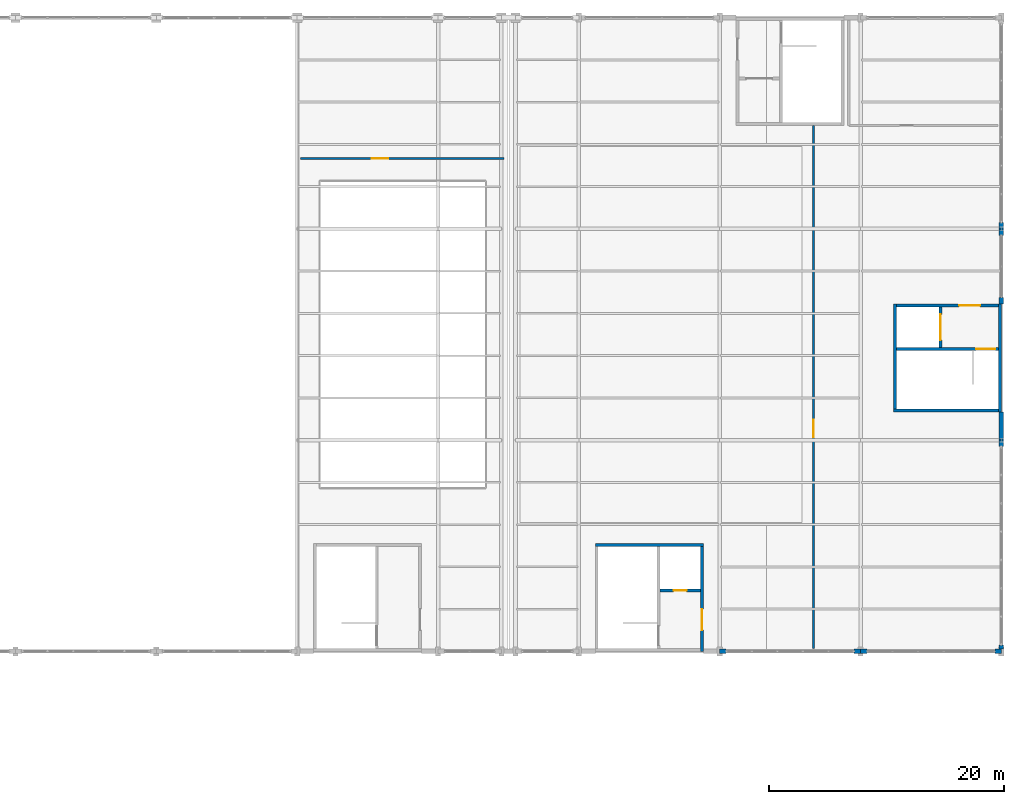
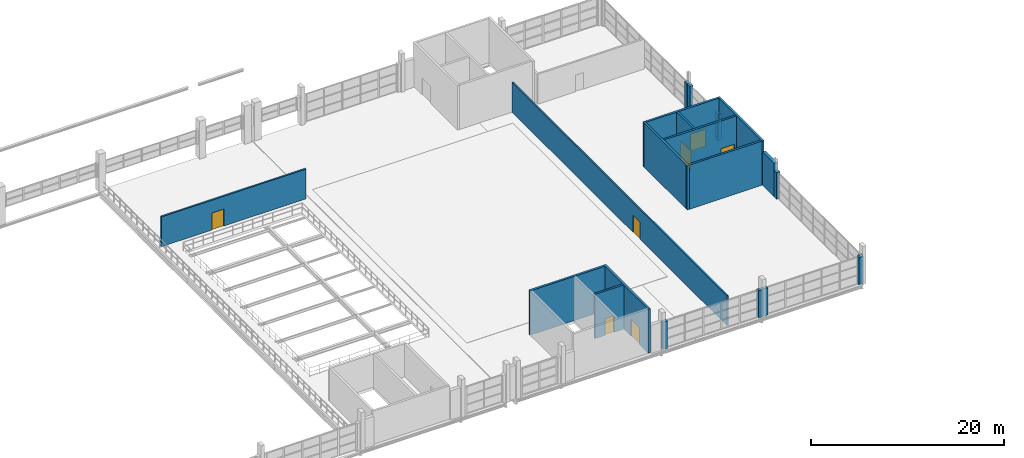
# One storey, part 80 of 86: 21 walls, 7 doors, 7 openings.
"""IFC4 building model written with IfcOpenShell, lengths in metres."""

from ifc_helpers import new_model, si_unit, direction, frame, frame_2d, origin, place, context, subcontext, project, spatial, rectangle, extrude, material, layer, layer_set, type_object, element, fill, save


model = new_model("IFC4")

# Units and contexts
model_context = context("Model", 3, precision=1e-05, world=origin(), true_north=direction((0.0, 1.0)))
body_context = subcontext(model_context, "Body", "Model", "MODEL_VIEW")
ifc_project = project(units=[si_unit("LENGTHUNIT", "METRE"), si_unit("AREAUNIT", "SQUARE_METRE"), si_unit("VOLUMEUNIT", "CUBIC_METRE"), si_unit("PLANEANGLEUNIT", "RADIAN"), si_unit("MASSUNIT", "GRAM", prefix="KILO")], contexts=[model_context])

# Site, building, storey
site_placement = place(None, origin())
site = spatial("IfcSite", under=ifc_project, at=site_placement, CompositionType="ELEMENT")
building_placement = place(site_placement, origin())
building = spatial("IfcBuilding", under=site, at=building_placement, Name="Zilviju Railside Exhibition Hall", CompositionType="ELEMENT")
storey_placement = place(building_placement, frame((0.0, 0.0, 12.60009765625)))
storey = spatial("IfcBuildingStorey", under=building, at=storey_placement, Name="L04", CompositionType="ELEMENT", Elevation=12.60009765625)

# Wall
ifc_material_1 = material(Name="Concrete C35/45", Category="concrete")
ifc_layer_1 = layer(ifc_material_1, 0.25)
ifc_layer_set_1 = layer_set([ifc_layer_1], Name="Concrete C35/45")
wall_type_1 = type_object("IfcWallType", Name="WL-CORE-250", PredefinedType="SHEAR", material=ifc_layer_set_1)
wall_1_placement = place(storey_placement, frame((181.39990234375, 93.074951171875, 0.0), z_axis=(0.0, 0.0, 1.0), x_axis=(1.0, 0.0, 0.0)))
element("IfcWall", 1, at=wall_1_placement, inside=storey, type_object=wall_type_1, Name="Core C07 North Hall Court East Core Rear Wall L04", PredefinedType="SHEAR", context=body_context, shape_type="SweptSolid", body=[
    extrude(rectangle(XDim=9.2001953125, YDim=0.25, at=frame_2d((4.60009765625, 0.0))), origin(), (0.0, 0.0, 1.0), 5.599853515625),
])

# Wall, opening, door
wall_2_placement = place(storey_placement, frame((190.47509765625, 84.0, 0.0), z_axis=(0.0, 0.0, 1.0), x_axis=(0.0, 1.0, 0.0)))
wall_2 = element("IfcWall", 2, at=wall_2_placement, inside=storey, type_object=wall_type_1, Name="Core C07 North Hall Court East Lobby Side Wall L04", PredefinedType="SHEAR", context=body_context, shape_type="SweptSolid", body=[
    extrude(rectangle(XDim=9.199951171875, YDim=0.25, at=frame_2d((4.60009765625, 0.0))), origin(), (0.0, 0.0, 1.0), 5.599853515625),
])
opening_1_placement = place(wall_2_placement, frame((1.800048828125, 0.0, 0.0)))
opening_1 = element("IfcOpeningElement", 3, at=opening_1_placement, cuts=wall_2, Name="Opening FD-02", PredefinedType="OPENING", context=body_context, shape_type="SweptSolid", body=[
    extrude(rectangle(XDim=1.800048828125, YDim=2.14990234375, at=frame_2d((0.89990234375, 1.074951171875))), frame((0.0, 0.135009765625, 0.0), z_axis=(0.0, -1.0, 0.0), x_axis=(1.0, 0.0, 0.0)), (0.0, 0.0, 1.0), 0.27001953125),
])
ifc_material_2 = material(Name="Self-closing glazed steel core lobby fire door EI 60", Category="steel")
door_type_1 = type_object("IfcDoorType", Name="DR-LOBBY-180x215", OperationType="NOTDEFINED", PredefinedType="DOOR", material=ifc_material_2)
door_1_placement = place(opening_1_placement, origin())
door_1 = element("IfcDoor", 4, at=door_1_placement, inside=storey, type_object=door_type_1, Name="Core C07 North Hall Court East Lobby Fire Door L04", OperationType="DOUBLE_DOOR_SINGLE_SWING", OverallHeight=2.14990234375, OverallWidth=1.800048828125, PredefinedType="DOOR", context=body_context, shape_type="SweptSolid", body=[
    extrude(rectangle(XDim=1.800048828125, YDim=2.14990234375, at=frame_2d((0.89990234375, 1.074951171875))), frame((0.0, 0.02490234375, 0.0), z_axis=(0.0, -1.0, 0.0), x_axis=(1.0, 0.0, 0.0)), (0.0, 0.0, 1.0), 0.050048828125),
])
fill(opening_1, door_1)

wall_3_placement = place(storey_placement, frame((186.89990234375, 89.175048828125, 0.0), z_axis=(0.0, 0.0, 1.0), x_axis=(1.0, 0.0, 0.0)))
wall_3 = element("IfcWall", 5, at=wall_3_placement, inside=storey, type_object=wall_type_1, Name="Core C07 North Hall Court East Lift Shaft Front Wall L04", PredefinedType="SHEAR", context=body_context, shape_type="SweptSolid", body=[
    extrude(rectangle(XDim=3.4501953125, YDim=0.25, at=frame_2d((1.72509765625, 0.0))), origin(), (0.0, 0.0, 1.0), 5.599853515625),
])
opening_2_placement = place(wall_3_placement, frame((1.175048828125, 0.0, 0.0)))
opening_2 = element("IfcOpeningElement", 6, at=opening_2_placement, cuts=wall_3, Name="Opening LD-01", PredefinedType="OPENING", context=body_context, shape_type="SweptSolid", body=[
    extrude(rectangle(XDim=1.10009765625, YDim=2.10009765625, at=frame_2d((0.550048828125, 1.050048828125))), frame((0.0, 0.135009765625, 0.0), z_axis=(0.0, -1.0, 0.0), x_axis=(1.0, 0.0, 0.0)), (0.0, 0.0, 1.0), 0.27001953125),
])
ifc_material_3 = material(Name="Passenger lift sliding landing door EI 60", Category="wood")
door_type_2 = type_object("IfcDoorType", Name="DR-LIFT-110x210", OperationType="NOTDEFINED", PredefinedType="DOOR", material=ifc_material_3)
door_2_placement = place(opening_2_placement, origin())
door_2 = element("IfcDoor", 7, at=door_2_placement, inside=storey, type_object=door_type_2, Name="Lift Landing Door LP-03 L04", OperationType="SLIDING_TO_LEFT", OverallHeight=2.10009765625, OverallWidth=1.10009765625, PredefinedType="DOOR", context=body_context, shape_type="SweptSolid", body=[
    extrude(rectangle(XDim=1.10009765625, YDim=2.10009765625, at=frame_2d((0.550048828125, 1.050048828125))), frame((0.0, 0.02490234375, 0.0), z_axis=(0.0, -1.0, 0.0), x_axis=(1.0, 0.0, 0.0)), (0.0, 0.0, 1.0), 0.050048828125),
])
fill(opening_2, door_2)

# Walls
wall_4_placement = place(storey_placement, frame((216.0, 104.52490234375, 0.0), z_axis=(0.0, 0.0, 1.0), x_axis=(-1.0, 0.0, 0.0)))
element("IfcWall", 8, at=wall_4_placement, inside=storey, type_object=wall_type_1, Name="Core C09 North Hall Gable East Stairwell Outer Wall L04", PredefinedType="SHEAR", context=body_context, shape_type="SweptSolid", body=[
    extrude(rectangle(XDim=9.199951171875, YDim=0.25, at=frame_2d((4.60009765625, 0.0))), origin(), (0.0, 0.0, 1.0), 5.599853515625),
])
wall_5_placement = place(storey_placement, frame((206.925048828125, 104.39990234375, 0.0), z_axis=(0.0, 0.0, 1.0), x_axis=(0.0, 1.0, 0.0)))
element("IfcWall", 9, at=wall_5_placement, inside=storey, type_object=wall_type_1, Name="Core C09 North Hall Gable East Core Rear Wall L04", PredefinedType="SHEAR", context=body_context, shape_type="SweptSolid", body=[
    extrude(rectangle(XDim=9.2001953125, YDim=0.25, at=frame_2d((4.60009765625, 0.0))), origin(), (0.0, 0.0, 1.0), 5.599853515625),
])

# Wall, opening, door
wall_6_placement = place(storey_placement, frame((216.0, 113.47509765625, 0.0), z_axis=(0.0, 0.0, 1.0), x_axis=(-1.0, 0.0, 0.0)))
wall_6 = element("IfcWall", 10, at=wall_6_placement, inside=storey, type_object=wall_type_1, Name="Core C09 North Hall Gable East Lobby Side Wall L04", PredefinedType="SHEAR", context=body_context, shape_type="SweptSolid", body=[
    extrude(rectangle(XDim=9.199951171875, YDim=0.25, at=frame_2d((4.60009765625, 0.0))), origin(), (0.0, 0.0, 1.0), 5.599853515625),
])
opening_3_placement = place(wall_6_placement, frame((1.800048828125, 0.0, 0.0)))
opening_3 = element("IfcOpeningElement", 11, at=opening_3_placement, cuts=wall_6, Name="Opening FD-02", PredefinedType="OPENING", context=body_context, shape_type="SweptSolid", body=[
    extrude(rectangle(XDim=1.800048828125, YDim=2.14990234375, at=frame_2d((0.89990234375, 1.074951171875))), frame((0.0, 0.135009765625, 0.0), z_axis=(0.0, -1.0, 0.0), x_axis=(1.0, 0.0, 0.0)), (0.0, 0.0, 1.0), 0.27001953125),
])
door_3_placement = place(opening_3_placement, origin())
door_3 = element("IfcDoor", 12, at=door_3_placement, inside=storey, type_object=door_type_1, Name="Core C09 North Hall Gable East Lobby Fire Door L04", OperationType="DOUBLE_DOOR_SINGLE_SWING", OverallHeight=2.14990234375, OverallWidth=1.800048828125, PredefinedType="DOOR", context=body_context, shape_type="SweptSolid", body=[
    extrude(rectangle(XDim=1.800048828125, YDim=2.14990234375, at=frame_2d((0.89990234375, 1.074951171875))), frame((0.0, 0.02490234375, 0.0), z_axis=(0.0, -1.0, 0.0), x_axis=(1.0, 0.0, 0.0)), (0.0, 0.0, 1.0), 0.050048828125),
])
fill(opening_3, door_3)

wall_7_placement = place(storey_placement, frame((215.75, 109.77490234375, 0.0), z_axis=(0.0, 0.0, 1.0), x_axis=(-1.0, 0.0, 0.0)))
wall_7 = element("IfcWall", 13, at=wall_7_placement, inside=storey, type_object=wall_type_1, Name="Core C09 North Hall Gable East Stairwell Partition Wall L04", PredefinedType="SHEAR", context=body_context, shape_type="SweptSolid", body=[
    extrude(rectangle(XDim=8.699951171875, YDim=0.25, at=frame_2d((4.35009765625, 0.0))), origin(), (0.0, 0.0, 1.0), 5.599853515625),
])
opening_4_placement = place(wall_7_placement, frame((0.25, 0.0, 0.0)))
opening_4 = element("IfcOpeningElement", 14, at=opening_4_placement, cuts=wall_7, Name="Opening FD-01", PredefinedType="OPENING", context=body_context, shape_type="SweptSolid", body=[
    extrude(rectangle(XDim=1.64990234375, YDim=2.10009765625, at=frame_2d((0.824951171875, 1.050048828125))), frame((0.0, 0.135009765625, 0.0), z_axis=(0.0, -1.0, 0.0), x_axis=(1.0, 0.0, 0.0)), (0.0, 0.0, 1.0), 0.27001953125),
])
ifc_material_4 = material(Name="Self-closing steel stair enclosure fire door EI 60", Category="steel")
door_type_3 = type_object("IfcDoorType", Name="DR-STAIR-165x210", OperationType="NOTDEFINED", PredefinedType="DOOR", material=ifc_material_4)
door_4_placement = place(opening_4_placement, origin())
door_4 = element("IfcDoor", 15, at=door_4_placement, inside=storey, type_object=door_type_3, Name="Core C09 North Hall Gable East Protected Stair Door L04", OperationType="SINGLE_SWING_LEFT", OverallHeight=2.10009765625, OverallWidth=1.64990234375, PredefinedType="DOOR", context=body_context, shape_type="SweptSolid", body=[
    extrude(rectangle(XDim=1.64990234375, YDim=2.10009765625, at=frame_2d((0.824951171875, 1.050048828125))), frame((0.0, 0.02490234375, 0.0), z_axis=(0.0, -1.0, 0.0), x_axis=(1.0, 0.0, 0.0)), (0.0, 0.0, 1.0), 0.050048828125),
])
fill(opening_4, door_4)

wall_8_placement = place(storey_placement, frame((210.824951171875, 109.89990234375, 0.0), z_axis=(0.0, 0.0, 1.0), x_axis=(0.0, 1.0, 0.0)))
wall_8 = element("IfcWall", 16, at=wall_8_placement, inside=storey, type_object=wall_type_1, Name="Core C09 North Hall Gable East Lift Shaft Front Wall L04", PredefinedType="SHEAR", context=body_context, shape_type="SweptSolid", body=[
    extrude(rectangle(XDim=3.4501953125, YDim=0.25, at=frame_2d((1.72509765625, 0.0))), origin(), (0.0, 0.0, 1.0), 5.599853515625),
])
opening_5_placement = place(wall_8_placement, frame((0.625, 0.0, 0.0)))
opening_5 = element("IfcOpeningElement", 17, at=opening_5_placement, cuts=wall_8, Name="Opening LD-02", PredefinedType="OPENING", context=body_context, shape_type="SweptSolid", body=[
    extrude(rectangle(XDim=2.199951171875, YDim=2.35009765625, at=frame_2d((1.10009765625, 1.175048828125))), frame((0.0, 0.135009765625, 0.0), z_axis=(0.0, -1.0, 0.0), x_axis=(1.0, 0.0, 0.0)), (0.0, 0.0, 1.0), 0.27001953125),
])
ifc_material_5 = material(Name="Heavy freight lift sliding landing door EI 60", Category="wood")
door_type_4 = type_object("IfcDoorType", Name="DR-LIFT-220x235", OperationType="NOTDEFINED", PredefinedType="DOOR", material=ifc_material_5)
door_5_placement = place(opening_5_placement, origin())
door_5 = element("IfcDoor", 18, at=door_5_placement, inside=storey, type_object=door_type_4, Name="Lift Landing Door LF-03 L04", OperationType="SLIDING_TO_LEFT", OverallHeight=2.35009765625, OverallWidth=2.199951171875, PredefinedType="DOOR", context=body_context, shape_type="SweptSolid", body=[
    extrude(rectangle(XDim=2.199951171875, YDim=2.35009765625, at=frame_2d((1.10009765625, 1.175048828125))), frame((0.0, 0.02490234375, 0.0), z_axis=(0.0, -1.0, 0.0), x_axis=(1.0, 0.0, 0.0)), (0.0, 0.0, 1.0), 0.050048828125),
])
fill(opening_5, door_5)

# Walls
ifc_material_6 = material(Name="Concrete C40/50", Category="concrete")
ifc_layer_2 = layer(ifc_material_6, 0.25)
ifc_layer_set_2 = layer_set([ifc_layer_2], Name="Concrete C40/50")
wall_type_2 = type_object("IfcWallType", Name="WL-CORE-300", PredefinedType="SHEAR", material=ifc_layer_set_2)
wall_9_placement = place(storey_placement, frame((215.875, 113.60009765625, 0.0), z_axis=(0.0, 0.0, 1.0), x_axis=(0.0, -1.0, 0.0)))
element("IfcWall", 19, at=wall_9_placement, inside=storey, type_object=wall_type_2, Name="Core C09 North Hall Gable East Exterior Core Wall L04", PredefinedType="SHEAR", context=body_context, shape_type="SweptSolid", body=[
    extrude(rectangle(XDim=9.2001953125, YDim=0.25, at=frame_2d((4.60009765625, 0.0))), origin(), (0.0, 0.0, 1.0), 5.599853515625),
])
ifc_material_7 = material(Name="Insulated cream-brick upper facade wall", Category="masonry")
ifc_layer_3 = layer(ifc_material_7, 0.3798828125)
ifc_layer_set_3 = layer_set([ifc_layer_3], Name="Insulated cream-brick upper facade wall")
wall_type_3 = type_object("IfcWallType", Name="WL-EXT-380", PredefinedType="SOLIDWALL", material=ifc_layer_set_3)
wall_10_placement = place(storey_placement, frame((192.550048828125, 84.0, 0.0), z_axis=(0.0, 0.0, 1.0), x_axis=(-1.0, 0.0, 0.0)))
element("IfcWall", 20, at=wall_10_placement, inside=storey, type_object=wall_type_3, Name="Curtain-Wall Jamb Closure Pier L04 0280", PredefinedType="SOLIDWALL", context=body_context, shape_type="SweptSolid", body=[
    extrude(rectangle(XDim=0.548095703125, YDim=0.3798828125, at=frame_2d((0.27392578125, 0.0))), origin(), (0.0, 0.0, 1.0), 3.449951171875),
])
wall_11_placement = place(storey_placement, frame((204.0, 84.0, 0.0), z_axis=(0.0, 0.0, 1.0), x_axis=(-1.0, 0.0, 0.0)))
element("IfcWall", 21, at=wall_11_placement, inside=storey, type_object=wall_type_3, Name="Curtain-Wall Jamb Closure Pier L04 0281", PredefinedType="SOLIDWALL", context=body_context, shape_type="SweptSolid", body=[
    extrude(rectangle(XDim=0.550048828125, YDim=0.3798828125, at=frame_2d((0.27490234375, 0.0))), origin(), (0.0, 0.0, 1.0), 3.449951171875),
])
wall_12_placement = place(storey_placement, frame((204.550048828125, 84.0, 0.0), z_axis=(0.0, 0.0, 1.0), x_axis=(-1.0, 0.0, 0.0)))
element("IfcWall", 22, at=wall_12_placement, inside=storey, type_object=wall_type_3, Name="Curtain-Wall Jamb Closure Pier L04 0282", PredefinedType="SOLIDWALL", context=body_context, shape_type="SweptSolid", body=[
    extrude(rectangle(XDim=0.548095703125, YDim=0.3798828125, at=frame_2d((0.27392578125, 0.0))), origin(), (0.0, 0.0, 1.0), 3.449951171875),
])
wall_13_placement = place(storey_placement, frame((216.0, 84.0, 0.0), z_axis=(0.0, 0.0, 1.0), x_axis=(-1.0, 0.0, 0.0)))
element("IfcWall", 23, at=wall_13_placement, inside=storey, type_object=wall_type_3, Name="Curtain-Wall Jamb Closure Pier L04 0283", PredefinedType="SOLIDWALL", context=body_context, shape_type="SweptSolid", body=[
    extrude(rectangle(XDim=0.550048828125, YDim=0.3798828125, at=frame_2d((0.27490234375, 0.0))), origin(), (0.0, 0.0, 1.0), 3.449951171875),
])
wall_14_placement = place(storey_placement, frame((216.0, 84.550048828125, 0.0), z_axis=(0.0, 0.0, 1.0), x_axis=(0.0, -1.0, 0.0)))
element("IfcWall", 24, at=wall_14_placement, inside=storey, type_object=wall_type_3, Name="Curtain-Wall Jamb Closure Pier L04 0312", PredefinedType="SOLIDWALL", context=body_context, shape_type="SweptSolid", body=[
    extrude(rectangle(XDim=0.358154296875, YDim=0.3798828125, at=frame_2d((0.17919921875, 0.0))), origin(), (0.0, 0.0, 1.0), 3.349853515625),
])
wall_15_placement = place(storey_placement, frame((216.0, 101.998046875, 0.0), z_axis=(0.0, 0.0, 1.0), x_axis=(0.0, -1.0, 0.0)))
element("IfcWall", 25, at=wall_15_placement, inside=storey, type_object=wall_type_3, Name="Curtain-Wall Jamb Closure Pier L04 0313", PredefinedType="SOLIDWALL", context=body_context, shape_type="SweptSolid", body=[
    extrude(rectangle(XDim=0.548095703125, YDim=0.3798828125, at=frame_2d((0.27392578125, 0.0))), origin(), (0.0, 0.0, 1.0), 3.349853515625),
])
wall_16_placement = place(storey_placement, frame((216.0, 104.39990234375, 0.0), z_axis=(0.0, 0.0, 1.0), x_axis=(0.0, -1.0, 0.0)))
element("IfcWall", 26, at=wall_16_placement, inside=storey, type_object=wall_type_3, Name="Exterior Facade Wall L04 East 0314", PredefinedType="SOLIDWALL", context=body_context, shape_type="SweptSolid", body=[
    extrude(rectangle(XDim=2.39990234375, YDim=0.3798828125, at=frame_2d((1.199951171875, 0.0))), origin(), (0.0, 0.0, 1.0), 4.199951171875),
])
wall_17_placement = place(storey_placement, frame((216.0, 114.14990234375, 0.0), z_axis=(0.0, 0.0, 1.0), x_axis=(0.0, -1.0, 0.0)))
element("IfcWall", 27, at=wall_17_placement, inside=storey, type_object=wall_type_3, Name="Curtain-Wall Jamb Closure Pier L04 0315", PredefinedType="SOLIDWALL", context=body_context, shape_type="SweptSolid", body=[
    extrude(rectangle(XDim=0.5478515625, YDim=0.3798828125, at=frame_2d((0.27392578125, 0.0))), origin(), (0.0, 0.0, 1.0), 3.349853515625),
])
wall_18_placement = place(storey_placement, frame((216.0, 120.0, 0.0), z_axis=(0.0, 0.0, 1.0), x_axis=(0.0, -1.0, 0.0)))
element("IfcWall", 28, at=wall_18_placement, inside=storey, type_object=wall_type_3, Name="Curtain-Wall Jamb Closure Pier L04 0316", PredefinedType="SOLIDWALL", context=body_context, shape_type="SweptSolid", body=[
    extrude(rectangle(XDim=0.550048828125, YDim=0.3798828125, at=frame_2d((0.27490234375, 0.0))), origin(), (0.0, 0.0, 1.0), 3.349853515625),
])
wall_19_placement = place(storey_placement, frame((216.0, 120.550048828125, 0.0), z_axis=(0.0, 0.0, 1.0), x_axis=(0.0, -1.0, 0.0)))
element("IfcWall", 29, at=wall_19_placement, inside=storey, type_object=wall_type_3, Name="Curtain-Wall Jamb Closure Pier L04 0317", PredefinedType="SOLIDWALL", context=body_context, shape_type="SweptSolid", body=[
    extrude(rectangle(XDim=0.548095703125, YDim=0.3798828125, at=frame_2d((0.27392578125, 0.0))), origin(), (0.0, 0.0, 1.0), 3.349853515625),
])

# Wall, opening, door
ifc_material_8 = material(Name="Acoustic conference partition wall", Category="masonry")
ifc_layer_4 = layer(ifc_material_8, 0.175048828125)
ifc_layer_set_4 = layer_set([ifc_layer_4], Name="Acoustic conference partition wall")
wall_type_4 = type_object("IfcWallType", Name="WL-PART-175", PredefinedType="PARTITIONING", material=ifc_layer_set_4)
wall_20_placement = place(storey_placement, frame((200.0, 84.25, 0.0), z_axis=(0.0, 0.0, 1.0), x_axis=(0.0, 1.0, 0.0)))
wall_20 = element("IfcWall", 30, at=wall_20_placement, inside=storey, type_object=wall_type_4, Name="VIP Press Salon Glazed Partition", PredefinedType="PARTITIONING", context=body_context, shape_type="SweptSolid", body=[
    extrude(rectangle(XDim=44.550048828125, YDim=0.175048828125, at=frame_2d((22.27490234375, 0.0))), origin(), (0.0, 0.0, 1.0), 3.77978515625),
])
opening_6_placement = place(wall_20_placement, frame((18.0, 0.0, 0.0)))
opening_6 = element("IfcOpeningElement", 31, at=opening_6_placement, cuts=wall_20, Name="Opening ID-01", PredefinedType="OPENING", context=body_context, shape_type="SweptSolid", body=[
    extrude(rectangle(XDim=1.5, YDim=2.14990234375, at=frame_2d((0.75, 1.074951171875))), frame((0.0, 0.097412109375, 0.0), z_axis=(0.0, -1.0, 0.0), x_axis=(1.0, 0.0, 0.0)), (0.0, 0.0, 1.0), 0.195068359375),
])
ifc_material_9 = material(Name="Oak veneer conference suite double door", Category="wood")
door_type_5 = type_object("IfcDoorType", Name="DR-MTG-150x215", OperationType="NOTDEFINED", PredefinedType="DOOR", material=ifc_material_9)
door_6_placement = place(opening_6_placement, origin())
door_6 = element("IfcDoor", 32, at=door_6_placement, inside=storey, type_object=door_type_5, Name="Press Viewing Salon Door", OperationType="SINGLE_SWING_LEFT", OverallHeight=2.14990234375, OverallWidth=1.5, PredefinedType="DOOR", context=body_context, shape_type="SweptSolid", body=[
    extrude(rectangle(XDim=1.5, YDim=2.14990234375, at=frame_2d((0.75, 1.074951171875))), frame((0.0, 0.02490234375, 0.0), z_axis=(0.0, -1.0, 0.0), x_axis=(1.0, 0.0, 0.0)), (0.0, 0.0, 1.0), 0.050048828125),
])
fill(opening_6, door_6)

ifc_material_10 = material(Name="Double-stud acoustic gypsum partition wall", Category="masonry")
ifc_layer_5 = layer(ifc_material_10, 0.199951171875)
ifc_layer_set_5 = layer_set([ifc_layer_5], Name="Double-stud acoustic gypsum partition wall")
wall_type_5 = type_object("IfcWallType", Name="WL-PART-200", PredefinedType="PARTITIONING", material=ifc_layer_set_5)
wall_21_placement = place(storey_placement, frame((156.300048828125, 126.0, 0.0), z_axis=(0.0, 0.0, 1.0), x_axis=(1.0, 0.0, 0.0)))
wall_21 = element("IfcWall", 33, at=wall_21_placement, inside=storey, type_object=wall_type_5, Name="Pavilion Roof AHU Plant Wall", PredefinedType="PARTITIONING", context=body_context, shape_type="SweptSolid", body=[
    extrude(rectangle(XDim=17.300048828125, YDim=0.199951171875, at=frame_2d((8.64990234375, 0.0))), origin(), (0.0, 0.0, 1.0), 3.77978515625),
])
opening_7_placement = place(wall_21_placement, frame((6.050048828125, 0.0, 0.0)))
opening_7 = element("IfcOpeningElement", 34, at=opening_7_placement, cuts=wall_21, Name="Opening FD-05", PredefinedType="OPENING", context=body_context, shape_type="SweptSolid", body=[
    extrude(rectangle(XDim=1.39990234375, YDim=2.14990234375, at=frame_2d((0.699951171875, 1.074951171875))), frame((0.0, 0.10986328125, 0.0), z_axis=(0.0, -1.0, 0.0), x_axis=(1.0, 0.0, 0.0)), (0.0, 0.0, 1.0), 0.219970703125),
])
ifc_material_11 = material(Name="Steel double plant room fire door EI 60", Category="steel")
door_type_6 = type_object("IfcDoorType", Name="DR-PLANT-140x215", OperationType="NOTDEFINED", PredefinedType="DOOR", material=ifc_material_11)
door_7_placement = place(opening_7_placement, origin())
door_7 = element("IfcDoor", 35, at=door_7_placement, inside=storey, type_object=door_type_6, Name="Pavilion Roof AHU Plant Wall Door 1", OperationType="SINGLE_SWING_LEFT", OverallHeight=2.14990234375, OverallWidth=1.39990234375, PredefinedType="DOOR", context=body_context, shape_type="SweptSolid", body=[
    extrude(rectangle(XDim=1.39990234375, YDim=2.14990234375, at=frame_2d((0.699951171875, 1.074951171875))), frame((0.0, 0.02490234375, 0.0), z_axis=(0.0, -1.0, 0.0), x_axis=(1.0, 0.0, 0.0)), (0.0, 0.0, 1.0), 0.050048828125),
])
fill(opening_7, door_7)

save(model, "model.ifc")
